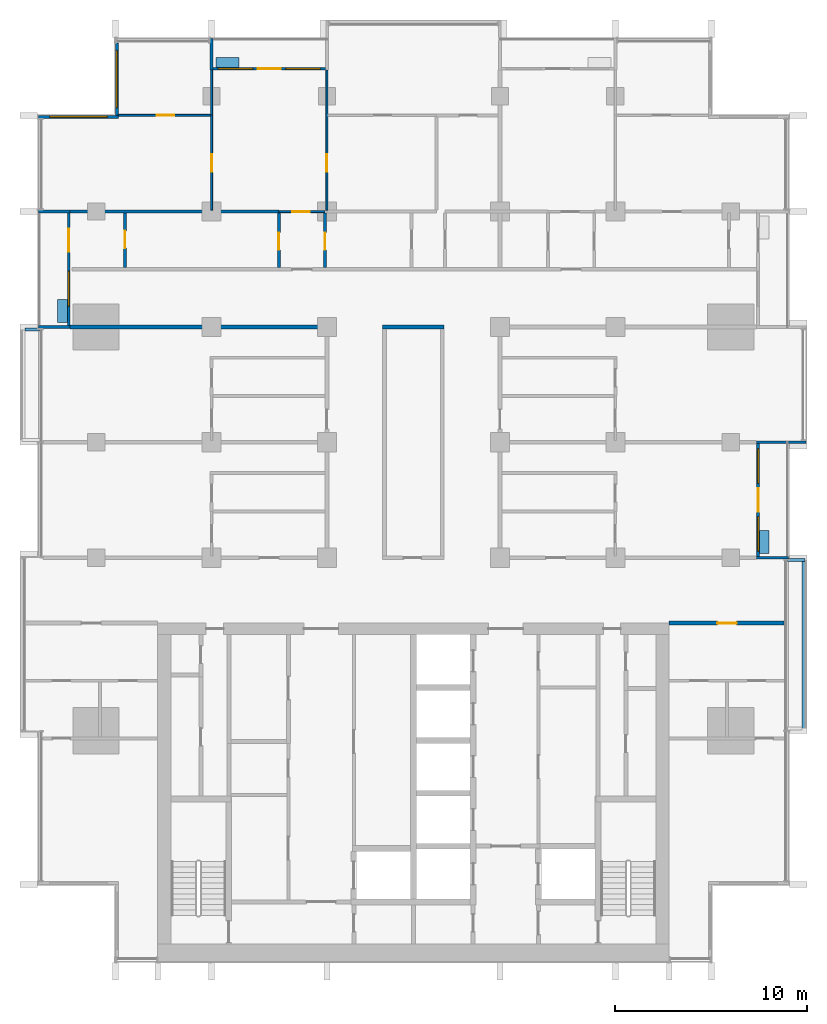
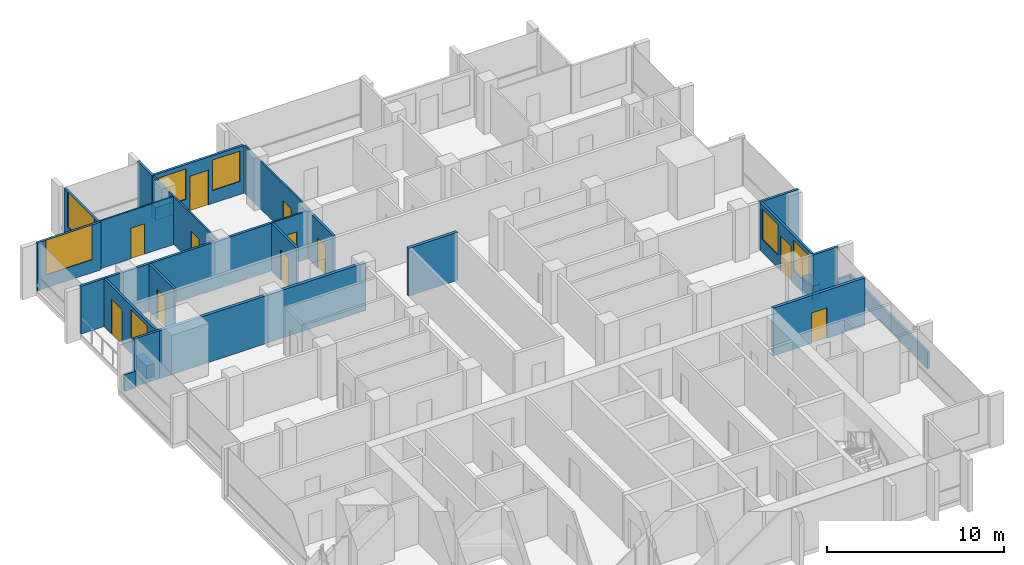
# One storey, part 10 of 17: 27 walls, 11 doors, 7 windows, 18 openings.
"""IFC4 building model written with IfcOpenShell, lengths in metres."""

from ifc_helpers import new_model, si_unit, direction, frame, frame_2d, origin, place, context, subcontext, project, spatial, rectangle, extrude, material, layer, layer_set, type_object, element, fill, save


model = new_model("IFC4")

# Units and contexts
model_context = context("Model", 3, precision=1e-05, world=origin(), true_north=direction((0.0, 1.0)))
body_context = subcontext(model_context, "Body", "Model", "MODEL_VIEW")
ifc_project = project(units=[si_unit("LENGTHUNIT", "METRE"), si_unit("AREAUNIT", "SQUARE_METRE"), si_unit("VOLUMEUNIT", "CUBIC_METRE"), si_unit("PLANEANGLEUNIT", "RADIAN"), si_unit("MASSUNIT", "GRAM", prefix="KILO")], contexts=[model_context])

# Site, building, storey
site_placement = place(None, origin())
site = spatial("IfcSite", under=ifc_project, at=site_placement, CompositionType="ELEMENT")
building_placement = place(site_placement, origin())
building = spatial("IfcBuilding", under=site, at=building_placement, Name="Finial Court Residences", CompositionType="ELEMENT")
storey_placement = place(building_placement, frame((0.0, 0.0, 181.699951171875)))
storey = spatial("IfcBuildingStorey", under=building, at=storey_placement, Name="L45", CompositionType="ELEMENT", Elevation=181.699951171875)

# Wall, opening, door
ifc_material_1 = material(Name="Gypsum board")
ifc_layer_1 = layer(ifc_material_1, 0.02490234375)
ifc_material_2 = material(Name="Acoustic mineral wool in double frame")
ifc_layer_2 = layer(ifc_material_2, 0.14990234375)
ifc_layer_3 = layer(ifc_material_1, 0.02490234375)
ifc_layer_set_1 = layer_set([ifc_layer_1, ifc_layer_2, ifc_layer_3], Name="Corridor wall 200, 1 hour")
wall_type_1 = type_object("IfcWallType", Name="Corridor wall 200, 1 hour", PredefinedType="PARTITIONING", material=ifc_layer_set_1)
wall_1_placement = place(storey_placement, frame((13.300048828125, -7.89990234375, 0.0), z_axis=(0.0, 0.0, 1.0), x_axis=(1.0, 0.0, 0.0)))
wall_1 = element("IfcWall", 1, at=wall_1_placement, inside=storey, type_object=wall_type_1, Name="Partition L45-005", PredefinedType="PARTITIONING", context=body_context, shape_type="SweptSolid", body=[
    extrude(rectangle(XDim=5.96240234375, YDim=0.199951171875, at=frame_2d((2.981201171875, 0.0))), origin(), (0.0, 0.0, 1.0), 3.300048828125),
])
opening_1_placement = place(wall_1_placement, frame((2.5, 0.0, 0.0)))
opening_1 = element("IfcOpeningElement", 2, at=opening_1_placement, cuts=wall_1, Name="Opening L45-D008", PredefinedType="OPENING", context=body_context, shape_type="SweptSolid", body=[
    extrude(rectangle(XDim=1.0, YDim=2.10009765625, at=frame_2d((0.5, 1.050048828125))), frame((0.0, 0.10986328125, 0.0), z_axis=(0.0, -1.0, 0.0), x_axis=(1.0, 0.0, 0.0)), (0.0, 0.0, 1.0), 0.219970703125),
])
ifc_material_3 = material(Name="Timber door leaf in hollow metal frame", Category="wood")
door_type_1 = type_object("IfcDoorType", Name="Fire door set 1000 x 2100, 30 minutes", OperationType="SINGLE_SWING_LEFT", PredefinedType="DOOR", material=ifc_material_3)
door_1_placement = place(opening_1_placement, origin())
door_1 = element("IfcDoor", 3, at=door_1_placement, inside=storey, type_object=door_type_1, Name="Door L45-D008", OperationType="SINGLE_SWING_RIGHT", OverallHeight=2.10009765625, OverallWidth=1.0, PredefinedType="DOOR", context=body_context, shape_type="SweptSolid", body=[
    extrude(rectangle(XDim=1.0, YDim=2.10009765625, at=frame_2d((0.5, 1.050048828125))), frame((0.0, 0.02490234375, 0.0), z_axis=(0.0, -1.0, 0.0), x_axis=(1.0, 0.0, 0.0)), (0.0, 0.0, 1.0), 0.050048828125),
])
fill(opening_1, door_1)

# Walls
wall_2_placement = place(storey_placement, frame((-17.85009765625, 7.5, 0.0), z_axis=(0.0, 0.0, 1.0), x_axis=(1.0, 0.0, 0.0)))
element("IfcWall", 4, at=wall_2_placement, inside=storey, type_object=wall_type_1, Name="Partition L45-019", PredefinedType="PARTITIONING", context=body_context, shape_type="SweptSolid", body=[
    extrude(rectangle(XDim=13.4501953125, YDim=0.199951171875, at=frame_2d((6.72509765625, 0.0))), origin(), (0.0, 0.0, 1.0), 3.300048828125),
])
wall_3_placement = place(storey_placement, frame((-1.60009765625, 7.5, 0.0), z_axis=(0.0, 0.0, 1.0), x_axis=(1.0, 0.0, 0.0)))
element("IfcWall", 5, at=wall_3_placement, inside=storey, type_object=wall_type_1, Name="Partition L45-020", PredefinedType="PARTITIONING", context=body_context, shape_type="SweptSolid", body=[
    extrude(rectangle(XDim=3.2001953125, YDim=0.199951171875, at=frame_2d((1.60009765625, 0.0))), origin(), (0.0, 0.0, 1.0), 3.300048828125),
])

# Wall, opening, door
ifc_layer_4 = layer(ifc_material_1, 0.012451171875)
ifc_material_4 = material(Name="Mineral wool in light-gauge frame")
ifc_layer_5 = layer(ifc_material_4, 0.074951171875)
ifc_layer_6 = layer(ifc_material_1, 0.012451171875)
ifc_layer_set_2 = layer_set([ifc_layer_4, ifc_layer_5, ifc_layer_6], Name="Gypsum board partition 100")
wall_type_2 = type_object("IfcWallType", Name="Gypsum board partition 100", PredefinedType="PARTITIONING", material=ifc_layer_set_2)
wall_4_placement = place(storey_placement, frame((-7.0, 13.5, 0.0), z_axis=(0.0, 0.0, 1.0), x_axis=(1.0, 0.0, 0.0)))
wall_4 = element("IfcWall", 6, at=wall_4_placement, inside=storey, type_object=wall_type_2, Name="Partition L45-023", PredefinedType="PARTITIONING", context=body_context, shape_type="SweptSolid", body=[
    extrude(rectangle(XDim=2.39990234375, YDim=0.10009765625, at=frame_2d((1.199951171875, 0.0))), origin(), (0.0, 0.0, 1.0), 3.300048828125),
])
opening_2_placement = place(wall_4_placement, frame((0.699951171875, 0.0, 0.0)))
opening_2 = element("IfcOpeningElement", 7, at=opening_2_placement, cuts=wall_4, Name="Opening L45-D014", PredefinedType="OPENING", context=body_context, shape_type="SweptSolid", body=[
    extrude(rectangle(XDim=0.89990234375, YDim=2.10009765625, at=frame_2d((0.449951171875, 1.050048828125))), frame((0.0, 0.06005859375, 0.0), z_axis=(0.0, -1.0, 0.0), x_axis=(1.0, 0.0, 0.0)), (0.0, 0.0, 1.0), 0.1201171875),
])
ifc_material_5 = material(Name="Timber door leaf in timber frame", Category="wood")
door_type_2 = type_object("IfcDoorType", Name="Door set 900 x 2100", OperationType="SINGLE_SWING_LEFT", PredefinedType="DOOR", material=ifc_material_5)
door_2_placement = place(opening_2_placement, origin())
door_2 = element("IfcDoor", 8, at=door_2_placement, inside=storey, type_object=door_type_2, Name="Door L45-D014", OperationType="SINGLE_SWING_LEFT", OverallHeight=2.10009765625, OverallWidth=0.89990234375, PredefinedType="DOOR", context=body_context, shape_type="SweptSolid", body=[
    extrude(rectangle(XDim=0.89990234375, YDim=2.10009765625, at=frame_2d((0.449951171875, 1.050048828125))), frame((0.0, 0.02490234375, 0.0), z_axis=(0.0, -1.0, 0.0), x_axis=(1.0, 0.0, 0.0)), (0.0, 0.0, 1.0), 0.050048828125),
])
fill(opening_2, door_2)

wall_5_placement = place(storey_placement, frame((-15.35009765625, 18.5, 0.0), z_axis=(0.0, 0.0, 1.0), x_axis=(1.0, 0.0, 0.0)))
wall_5 = element("IfcWall", 9, at=wall_5_placement, inside=storey, type_object=wall_type_2, Name="Partition L45-029", PredefinedType="PARTITIONING", context=body_context, shape_type="SweptSolid", body=[
    extrude(rectangle(XDim=4.800048828125, YDim=0.10009765625, at=frame_2d((2.39990234375, 0.0))), origin(), (0.0, 0.0, 1.0), 3.300048828125),
])
opening_3_placement = place(wall_5_placement, frame((2.0, 0.0, 0.0)))
opening_3 = element("IfcOpeningElement", 10, at=opening_3_placement, cuts=wall_5, Name="Opening L45-D017", PredefinedType="OPENING", context=body_context, shape_type="SweptSolid", body=[
    extrude(rectangle(XDim=0.89990234375, YDim=2.10009765625, at=frame_2d((0.449951171875, 1.050048828125))), frame((0.0, 0.06005859375, 0.0), z_axis=(0.0, -1.0, 0.0), x_axis=(1.0, 0.0, 0.0)), (0.0, 0.0, 1.0), 0.1201171875),
])
door_3_placement = place(opening_3_placement, origin())
door_3 = element("IfcDoor", 11, at=door_3_placement, inside=storey, type_object=door_type_2, Name="Door L45-D017", OperationType="SINGLE_SWING_RIGHT", OverallHeight=2.10009765625, OverallWidth=0.89990234375, PredefinedType="DOOR", context=body_context, shape_type="SweptSolid", body=[
    extrude(rectangle(XDim=0.89990234375, YDim=2.10009765625, at=frame_2d((0.449951171875, 1.050048828125))), frame((0.0, 0.02490234375, 0.0), z_axis=(0.0, -1.0, 0.0), x_axis=(1.0, 0.0, 0.0)), (0.0, 0.0, 1.0), 0.050048828125),
])
fill(opening_3, door_3)

wall_6_placement = place(storey_placement, frame((-10.5, 13.574951171875, 0.0), z_axis=(0.0, 0.0, 1.0), x_axis=(0.0, 1.0, 0.0)))
wall_6 = element("IfcWall", 12, at=wall_6_placement, inside=storey, type_object=wall_type_2, Name="Partition L45-037", PredefinedType="PARTITIONING", context=body_context, shape_type="SweptSolid", body=[
    extrude(rectangle(XDim=7.275146484375, YDim=0.10009765625, at=frame_2d((3.6376953125, 0.0))), origin(), (0.0, 0.0, 1.0), 3.300048828125),
])
opening_4_placement = place(wall_6_placement, frame((2.0, 0.0, 0.0)))
opening_4 = element("IfcOpeningElement", 13, at=opening_4_placement, cuts=wall_6, Name="Opening L45-D024", PredefinedType="OPENING", context=body_context, shape_type="SweptSolid", body=[
    extrude(rectangle(XDim=0.89990234375, YDim=2.10009765625, at=frame_2d((0.449951171875, 1.050048828125))), frame((0.0, 0.06005859375, 0.0), z_axis=(0.0, -1.0, 0.0), x_axis=(1.0, 0.0, 0.0)), (0.0, 0.0, 1.0), 0.1201171875),
])
door_4_placement = place(opening_4_placement, origin())
door_4 = element("IfcDoor", 14, at=door_4_placement, inside=storey, type_object=door_type_2, Name="Door L45-D024", OperationType="SINGLE_SWING_RIGHT", OverallHeight=2.10009765625, OverallWidth=0.89990234375, PredefinedType="DOOR", context=body_context, shape_type="SweptSolid", body=[
    extrude(rectangle(XDim=0.89990234375, YDim=2.10009765625, at=frame_2d((0.449951171875, 1.050048828125))), frame((0.0, 0.02490234375, 0.0), z_axis=(0.0, -1.0, 0.0), x_axis=(1.0, 0.0, 0.0)), (0.0, 0.0, 1.0), 0.050048828125),
])
fill(opening_4, door_4)

wall_7_placement = place(storey_placement, frame((-4.5, 13.574951171875, 0.0), z_axis=(0.0, 0.0, 1.0), x_axis=(0.0, 1.0, 0.0)))
wall_7 = element("IfcWall", 15, at=wall_7_placement, inside=storey, type_object=wall_type_2, Name="Partition L45-043", PredefinedType="PARTITIONING", context=body_context, shape_type="SweptSolid", body=[
    extrude(rectangle(XDim=7.275146484375, YDim=0.10009765625, at=frame_2d((3.6376953125, 0.0))), origin(), (0.0, 0.0, 1.0), 3.300048828125),
])
opening_5_placement = place(wall_7_placement, frame((2.0, 0.0, 0.0)))
opening_5 = element("IfcOpeningElement", 16, at=opening_5_placement, cuts=wall_7, Name="Opening L45-D030", PredefinedType="OPENING", context=body_context, shape_type="SweptSolid", body=[
    extrude(rectangle(XDim=0.89990234375, YDim=2.10009765625, at=frame_2d((0.449951171875, 1.050048828125))), frame((0.0, 0.06005859375, 0.0), z_axis=(0.0, -1.0, 0.0), x_axis=(1.0, 0.0, 0.0)), (0.0, 0.0, 1.0), 0.1201171875),
])
door_5_placement = place(opening_5_placement, origin())
door_5 = element("IfcDoor", 17, at=door_5_placement, inside=storey, type_object=door_type_2, Name="Door L45-D030", OperationType="SINGLE_SWING_LEFT", OverallHeight=2.10009765625, OverallWidth=0.89990234375, PredefinedType="DOOR", context=body_context, shape_type="SweptSolid", body=[
    extrude(rectangle(XDim=0.89990234375, YDim=2.10009765625, at=frame_2d((0.449951171875, 1.050048828125))), frame((0.0, 0.02490234375, 0.0), z_axis=(0.0, -1.0, 0.0), x_axis=(1.0, 0.0, 0.0)), (0.0, 0.0, 1.0), 0.050048828125),
])
fill(opening_5, door_5)

# Wall
ifc_material_6 = material(Name="Moisture-resistant gypsum board")
ifc_layer_7 = layer(ifc_material_6, 0.012451171875)
ifc_layer_8 = layer(ifc_material_4, 0.125)
ifc_layer_9 = layer(ifc_material_6, 0.012451171875)
ifc_layer_set_3 = layer_set([ifc_layer_7, ifc_layer_8, ifc_layer_9], Name="Gypsum board wet-area partition 150")
wall_type_3 = type_object("IfcWallType", Name="Gypsum board wet-area partition 150", PredefinedType="PARTITIONING", material=ifc_layer_set_3)
wall_8_placement = place(storey_placement, frame((-17.85009765625, 13.5, 0.0), z_axis=(0.0, 0.0, 1.0), x_axis=(1.0, 0.0, 0.0)))
element("IfcWall", 18, at=wall_8_placement, inside=storey, type_object=wall_type_3, Name="Partition L45-025", PredefinedType="PARTITIONING", context=body_context, shape_type="SweptSolid", body=[
    extrude(rectangle(XDim=10.85009765625, YDim=0.14990234375, at=frame_2d((5.425048828125, 0.0))), origin(), (0.0, 0.0, 1.0), 3.300048828125),
])

# Wall, opening, door
wall_9_placement = place(storey_placement, frame((-15.0, 10.60009765625, 0.0), z_axis=(0.0, 0.0, 1.0), x_axis=(0.0, 1.0, 0.0)))
wall_9 = element("IfcWall", 19, at=wall_9_placement, inside=storey, type_object=wall_type_3, Name="Partition L45-034", PredefinedType="PARTITIONING", context=body_context, shape_type="SweptSolid", body=[
    extrude(rectangle(XDim=2.824951171875, YDim=0.14990234375, at=frame_2d((1.41259765625, 0.0))), origin(), (0.0, 0.0, 1.0), 3.300048828125),
])
opening_6_placement = place(wall_9_placement, frame((1.0, 0.0, 0.0)))
opening_6 = element("IfcOpeningElement", 20, at=opening_6_placement, cuts=wall_9, Name="Opening L45-D021", PredefinedType="OPENING", context=body_context, shape_type="SweptSolid", body=[
    extrude(rectangle(XDim=0.89990234375, YDim=2.10009765625, at=frame_2d((0.449951171875, 1.050048828125))), frame((0.0, 0.0849609375, 0.0), z_axis=(0.0, -1.0, 0.0), x_axis=(1.0, 0.0, 0.0)), (0.0, 0.0, 1.0), 0.169921875),
])
door_6_placement = place(opening_6_placement, origin())
door_6 = element("IfcDoor", 21, at=door_6_placement, inside=storey, type_object=door_type_2, Name="Door L45-D021", OperationType="SINGLE_SWING_LEFT", OverallHeight=2.10009765625, OverallWidth=0.89990234375, PredefinedType="DOOR", context=body_context, shape_type="SweptSolid", body=[
    extrude(rectangle(XDim=0.89990234375, YDim=2.10009765625, at=frame_2d((0.449951171875, 1.050048828125))), frame((0.0, 0.02490234375, 0.0), z_axis=(0.0, -1.0, 0.0), x_axis=(1.0, 0.0, 0.0)), (0.0, 0.0, 1.0), 0.050048828125),
])
fill(opening_6, door_6)

wall_10_placement = place(storey_placement, frame((-7.0, 10.60009765625, 0.0), z_axis=(0.0, 0.0, 1.0), x_axis=(0.0, 1.0, 0.0)))
wall_10 = element("IfcWall", 22, at=wall_10_placement, inside=storey, type_object=wall_type_3, Name="Partition L45-040", PredefinedType="PARTITIONING", context=body_context, shape_type="SweptSolid", body=[
    extrude(rectangle(XDim=2.824951171875, YDim=0.14990234375, at=frame_2d((1.41259765625, 0.0))), origin(), (0.0, 0.0, 1.0), 3.300048828125),
])
opening_7_placement = place(wall_10_placement, frame((0.89990234375, 0.0, 0.0)))
opening_7 = element("IfcOpeningElement", 23, at=opening_7_placement, cuts=wall_10, Name="Opening L45-D027", PredefinedType="OPENING", context=body_context, shape_type="SweptSolid", body=[
    extrude(rectangle(XDim=0.89990234375, YDim=2.10009765625, at=frame_2d((0.449951171875, 1.050048828125))), frame((0.0, 0.0849609375, 0.0), z_axis=(0.0, -1.0, 0.0), x_axis=(1.0, 0.0, 0.0)), (0.0, 0.0, 1.0), 0.169921875),
])
door_7_placement = place(opening_7_placement, origin())
door_7 = element("IfcDoor", 24, at=door_7_placement, inside=storey, type_object=door_type_2, Name="Door L45-D027", OperationType="SINGLE_SWING_RIGHT", OverallHeight=2.10009765625, OverallWidth=0.89990234375, PredefinedType="DOOR", context=body_context, shape_type="SweptSolid", body=[
    extrude(rectangle(XDim=0.89990234375, YDim=2.10009765625, at=frame_2d((0.449951171875, 1.050048828125))), frame((0.0, 0.02490234375, 0.0), z_axis=(0.0, -1.0, 0.0), x_axis=(1.0, 0.0, 0.0)), (0.0, 0.0, 1.0), 0.050048828125),
])
fill(opening_7, door_7)

wall_11_placement = place(storey_placement, frame((-4.60009765625, 10.60009765625, 0.0), z_axis=(0.0, 0.0, 1.0), x_axis=(0.0, 1.0, 0.0)))
wall_11 = element("IfcWall", 25, at=wall_11_placement, inside=storey, type_object=wall_type_3, Name="Partition L45-041", PredefinedType="PARTITIONING", context=body_context, shape_type="SweptSolid", body=[
    extrude(rectangle(XDim=2.824951171875, YDim=0.14990234375, at=frame_2d((1.41259765625, 0.0))), origin(), (0.0, 0.0, 1.0), 3.300048828125),
])
opening_8_placement = place(wall_11_placement, frame((0.89990234375, 0.0, 0.0)))
opening_8 = element("IfcOpeningElement", 26, at=opening_8_placement, cuts=wall_11, Name="Opening L45-D028", PredefinedType="OPENING", context=body_context, shape_type="SweptSolid", body=[
    extrude(rectangle(XDim=0.89990234375, YDim=2.10009765625, at=frame_2d((0.449951171875, 1.050048828125))), frame((0.0, 0.0849609375, 0.0), z_axis=(0.0, -1.0, 0.0), x_axis=(1.0, 0.0, 0.0)), (0.0, 0.0, 1.0), 0.169921875),
])
door_8_placement = place(opening_8_placement, origin())
door_8 = element("IfcDoor", 27, at=door_8_placement, inside=storey, type_object=door_type_2, Name="Door L45-D028", OperationType="SINGLE_SWING_LEFT", OverallHeight=2.10009765625, OverallWidth=0.89990234375, PredefinedType="DOOR", context=body_context, shape_type="SweptSolid", body=[
    extrude(rectangle(XDim=0.89990234375, YDim=2.10009765625, at=frame_2d((0.449951171875, 1.050048828125))), frame((0.0, 0.02490234375, 0.0), z_axis=(0.0, -1.0, 0.0), x_axis=(1.0, 0.0, 0.0)), (0.0, 0.0, 1.0), 0.050048828125),
])
fill(opening_8, door_8)

# Walls
ifc_material_7 = material(Name="Concrete C35/45", Category="concrete")
ifc_layer_10 = layer(ifc_material_7, 0.14990234375)
ifc_layer_set_4 = layer_set([ifc_layer_10], Name="Ledge parapet, Concrete C35/45 150")
wall_type_4 = type_object("IfcWallType", Name="Ledge parapet, Concrete C35/45 150", PredefinedType="PARAPET", material=ifc_layer_set_4)
wall_12_placement = place(storey_placement, frame((-20.199951171875, 7.375, 0.0), z_axis=(0.0, 0.0, 1.0), x_axis=(1.0, 0.0, 0.0)))
element("IfcWall", 28, at=wall_12_placement, inside=storey, type_object=wall_type_4, Name="E-L45-LED1-P3", PredefinedType="PARAPET", context=body_context, shape_type="SweptSolid", body=[
    extrude(rectangle(XDim=0.75244140625, YDim=0.14990234375, at=frame_2d((0.376220703125, 0.0))), origin(), (0.0, 0.0, 1.0), 1.150146484375),
])
wall_13_placement = place(storey_placement, frame((19.447509765625, -4.625, 0.0), z_axis=(0.0, 0.0, 1.0), x_axis=(1.0, 0.0, 0.0)))
element("IfcWall", 29, at=wall_13_placement, inside=storey, type_object=wall_type_4, Name="E-L45-LED2-P1", PredefinedType="PARAPET", context=body_context, shape_type="SweptSolid", body=[
    extrude(rectangle(XDim=0.902587890625, YDim=0.14990234375, at=frame_2d((0.451171875, 0.0))), origin(), (0.0, 0.0, 1.0), 1.150146484375),
])
wall_14_placement = place(storey_placement, frame((20.27490234375, -4.699951171875, 0.0), z_axis=(0.0, 0.0, 1.0), x_axis=(0.0, -1.0, 0.0)))
element("IfcWall", 30, at=wall_14_placement, inside=storey, type_object=wall_type_4, Name="E-L45-LED2-P2", PredefinedType="PARAPET", context=body_context, shape_type="SweptSolid", body=[
    extrude(rectangle(XDim=8.75, YDim=0.14990234375, at=frame_2d((4.375, 0.0))), origin(), (0.0, 0.0, 1.0), 1.150146484375),
])

# Wall, opening, window
ifc_material_8 = material(Name="Natural limestone", Category="masonry")
ifc_layer_11 = layer(ifc_material_8, 0.14990234375)
ifc_layer_set_5 = layer_set([ifc_layer_11], Name="Limestone clad wall 150")
wall_type_5 = type_object("IfcWallType", Name="Limestone clad wall 150", PredefinedType="SOLIDWALL", material=ifc_layer_set_5)
wall_15_placement = place(storey_placement, frame((-15.425048828125, 18.5, 0.0), z_axis=(0.0, 0.0, 1.0), x_axis=(0.0, 1.0, 0.0)))
wall_15 = element("IfcWall", 31, at=wall_15_placement, inside=storey, type_object=wall_type_5, Name="E-L45-NWW17", PredefinedType="SOLIDWALL", context=body_context, shape_type="SweptSolid", body=[
    extrude(rectangle(XDim=3.762451171875, YDim=0.14990234375, at=frame_2d((1.88134765625, 0.0))), origin(), (0.0, 0.0, 1.0), 3.300048828125),
])
opening_9_placement = place(wall_15_placement, frame((0.4013671875, 0.0, 0.89990234375)))
opening_9 = element("IfcOpeningElement", 32, at=opening_9_placement, cuts=wall_15, Name="Opening WE45-05", PredefinedType="OPENING", context=body_context, shape_type="SweptSolid", body=[
    extrude(rectangle(XDim=2.9599609375, YDim=2.39990234375, at=frame_2d((1.47998046875, 1.199951171875))), frame((0.0, 0.0849609375, 0.0), z_axis=(0.0, -1.0, 0.0), x_axis=(1.0, 0.0, 0.0)), (0.0, 0.0, 1.0), 0.169921875),
])
ifc_material_9 = material(Name="Clear low-e glass", Category="glass")
window_type_1 = type_object("IfcWindowType", Name="Corner window 2960 x 2400", PartitioningType="SINGLE_PANEL", PredefinedType="WINDOW", material=ifc_material_9)
window_1_placement = place(opening_9_placement, origin())
window_1 = element("IfcWindow", 33, at=window_1_placement, inside=storey, type_object=window_type_1, Name="E-L45-NWW17-W1", OverallHeight=2.39990234375, OverallWidth=2.9599609375, PartitioningType="SINGLE_PANEL", PredefinedType="WINDOW", context=body_context, shape_type="SweptSolid", body=[
    extrude(rectangle(XDim=2.9599609375, YDim=2.39990234375, at=frame_2d((1.47998046875, 1.199951171875))), frame((0.0, 0.030029296875, 0.0), z_axis=(0.0, -1.0, 0.0), x_axis=(1.0, 0.0, 0.0)), (0.0, 0.0, 1.0), 0.06005859375),
])
fill(opening_9, window_1)

wall_16_placement = place(storey_placement, frame((-19.5, 18.425048828125, 0.0), z_axis=(0.0, 0.0, 1.0), x_axis=(1.0, 0.0, 0.0)))
wall_16 = element("IfcWall", 34, at=wall_16_placement, inside=storey, type_object=wall_type_5, Name="E-L45-NWN18", PredefinedType="SOLIDWALL", context=body_context, shape_type="SweptSolid", body=[
    extrude(rectangle(XDim=4.14990234375, YDim=0.14990234375, at=frame_2d((2.074951171875, 0.0))), origin(), (0.0, 0.0, 1.0), 3.300048828125),
])
opening_10_placement = place(wall_16_placement, frame((0.574951171875, 0.0, 0.89990234375)))
opening_10 = element("IfcOpeningElement", 35, at=opening_10_placement, cuts=wall_16, Name="Opening WE45-06", PredefinedType="OPENING", context=body_context, shape_type="SweptSolid", body=[
    extrude(rectangle(XDim=3.0, YDim=2.39990234375, at=frame_2d((1.5, 1.199951171875))), frame((0.0, 0.0849609375, 0.0), z_axis=(0.0, -1.0, 0.0), x_axis=(1.0, 0.0, 0.0)), (0.0, 0.0, 1.0), 0.169921875),
])
window_type_2 = type_object("IfcWindowType", Name="Corner window 3000 x 2400", PartitioningType="SINGLE_PANEL", PredefinedType="WINDOW", material=ifc_material_9)
window_2_placement = place(opening_10_placement, origin())
window_2 = element("IfcWindow", 36, at=window_2_placement, inside=storey, type_object=window_type_2, Name="E-L45-NWN18-W1", OverallHeight=2.39990234375, OverallWidth=3.0, PartitioningType="SINGLE_PANEL", PredefinedType="WINDOW", context=body_context, shape_type="SweptSolid", body=[
    extrude(rectangle(XDim=3.0, YDim=2.39990234375, at=frame_2d((1.5, 1.199951171875))), frame((0.0, 0.030029296875, 0.0), z_axis=(0.0, -1.0, 0.0), x_axis=(1.0, 0.0, 0.0)), (0.0, 0.0, 1.0), 0.06005859375),
])
fill(opening_10, window_2)

# Wall
wall_17_placement = place(storey_placement, frame((-10.5, 20.85009765625, 0.0), z_axis=(0.0, 0.0, 1.0), x_axis=(0.0, 1.0, 0.0)))
element("IfcWall", 37, at=wall_17_placement, inside=storey, type_object=wall_type_5, Name="E-L45-BALN2-P1", PredefinedType="SOLIDWALL", context=body_context, shape_type="SweptSolid", body=[
    extrude(rectangle(XDim=1.64990234375, YDim=0.14990234375, at=frame_2d((0.824951171875, 0.0))), origin(), (0.0, 0.0, 1.0), 3.300048828125),
])

# Wall, openings, door, windows
wall_18_placement = place(storey_placement, frame((-10.425048828125, 20.925048828125, 0.0), z_axis=(0.0, 0.0, 1.0), x_axis=(1.0, 0.0, 0.0)))
wall_18 = element("IfcWall", 38, at=wall_18_placement, inside=storey, type_object=wall_type_5, Name="E-L45-L45-BALN2-W", PredefinedType="SOLIDWALL", context=body_context, shape_type="SweptSolid", body=[
    extrude(rectangle(XDim=5.85009765625, YDim=0.14990234375, at=frame_2d((2.925048828125, 0.0))), origin(), (0.0, 0.0, 1.0), 3.300048828125),
])
opening_11_placement = place(wall_18_placement, frame((2.324951171875, 0.0, 0.0)))
opening_11 = element("IfcOpeningElement", 39, at=opening_11_placement, cuts=wall_18, Name="Opening DE45-01", PredefinedType="OPENING", context=body_context, shape_type="SweptSolid", body=[
    extrude(rectangle(XDim=1.199951171875, YDim=2.39990234375, at=frame_2d((0.60009765625, 1.199951171875))), frame((0.0, 0.0849609375, 0.0), z_axis=(0.0, -1.0, 0.0), x_axis=(1.0, 0.0, 0.0)), (0.0, 0.0, 1.0), 0.169921875),
])
opening_12_placement = place(wall_18_placement, frame((0.262451171875, 0.0, 0.89990234375)))
opening_12 = element("IfcOpeningElement", 40, at=opening_12_placement, cuts=wall_18, Name="Opening WE45-09", PredefinedType="OPENING", context=body_context, shape_type="SweptSolid", body=[
    extrude(rectangle(XDim=1.800048828125, YDim=2.10009765625, at=frame_2d((0.89990234375, 1.050048828125))), frame((0.0, 0.0849609375, 0.0), z_axis=(0.0, -1.0, 0.0), x_axis=(1.0, 0.0, 0.0)), (0.0, 0.0, 1.0), 0.169921875),
])
opening_13_placement = place(wall_18_placement, frame((3.78759765625, 0.0, 0.89990234375)))
opening_13 = element("IfcOpeningElement", 41, at=opening_13_placement, cuts=wall_18, Name="Opening WE45-10", PredefinedType="OPENING", context=body_context, shape_type="SweptSolid", body=[
    extrude(rectangle(XDim=1.800048828125, YDim=2.10009765625, at=frame_2d((0.89990234375, 1.050048828125))), frame((0.0, 0.0849609375, 0.0), z_axis=(0.0, -1.0, 0.0), x_axis=(1.0, 0.0, 0.0)), (0.0, 0.0, 1.0), 0.169921875),
])
ifc_material_10 = material(Name="Bronze anodised aluminium", Category="aluminium")
door_type_3 = type_object("IfcDoorType", Name="Balcony door 1200 x 2400", OperationType="SINGLE_SWING_LEFT", PredefinedType="DOOR", material=ifc_material_10)
door_9_placement = place(opening_11_placement, origin())
door_9 = element("IfcDoor", 42, at=door_9_placement, inside=storey, type_object=door_type_3, Name="E-L45-L45-BALN2-W-D", OperationType="SINGLE_SWING_RIGHT", OverallHeight=2.39990234375, OverallWidth=1.199951171875, PredefinedType="DOOR", context=body_context, shape_type="SweptSolid", body=[
    extrude(rectangle(XDim=1.199951171875, YDim=2.39990234375, at=frame_2d((0.60009765625, 1.199951171875))), frame((0.0, 0.02490234375, 0.0), z_axis=(0.0, -1.0, 0.0), x_axis=(1.0, 0.0, 0.0)), (0.0, 0.0, 1.0), 0.050048828125),
])
fill(opening_11, door_9)
window_type_3 = type_object("IfcWindowType", Name="Balcony window 1800 x 2100", PartitioningType="SINGLE_PANEL", PredefinedType="WINDOW", material=ifc_material_9)
window_3_placement = place(opening_12_placement, origin())
window_3 = element("IfcWindow", 43, at=window_3_placement, inside=storey, type_object=window_type_3, Name="E-L45-L45-BALN2-W-W1", OverallHeight=2.10009765625, OverallWidth=1.800048828125, PartitioningType="SINGLE_PANEL", PredefinedType="WINDOW", context=body_context, shape_type="SweptSolid", body=[
    extrude(rectangle(XDim=1.800048828125, YDim=2.10009765625, at=frame_2d((0.89990234375, 1.050048828125))), frame((0.0, 0.030029296875, 0.0), z_axis=(0.0, -1.0, 0.0), x_axis=(1.0, 0.0, 0.0)), (0.0, 0.0, 1.0), 0.06005859375),
])
fill(opening_12, window_3)
window_4_placement = place(opening_13_placement, origin())
window_4 = element("IfcWindow", 44, at=window_4_placement, inside=storey, type_object=window_type_3, Name="E-L45-L45-BALN2-W-W2", OverallHeight=2.10009765625, OverallWidth=1.800048828125, PartitioningType="SINGLE_PANEL", PredefinedType="WINDOW", context=body_context, shape_type="SweptSolid", body=[
    extrude(rectangle(XDim=1.800048828125, YDim=2.10009765625, at=frame_2d((0.89990234375, 1.050048828125))), frame((0.0, 0.030029296875, 0.0), z_axis=(0.0, -1.0, 0.0), x_axis=(1.0, 0.0, 0.0)), (0.0, 0.0, 1.0), 0.06005859375),
])
fill(opening_13, window_4)

# Walls
wall_19_placement = place(storey_placement, frame((17.85009765625, -4.5, 0.0), z_axis=(0.0, 0.0, 1.0), x_axis=(1.0, 0.0, 0.0)))
element("IfcWall", 45, at=wall_19_placement, inside=storey, type_object=wall_type_5, Name="E-L45-BALE3-P1", PredefinedType="SOLIDWALL", context=body_context, shape_type="SweptSolid", body=[
    extrude(rectangle(XDim=1.64990234375, YDim=0.14990234375, at=frame_2d((0.824951171875, 0.0))), origin(), (0.0, 0.0, 1.0), 3.300048828125),
])
wall_20_placement = place(storey_placement, frame((17.85009765625, 1.5, 0.0), z_axis=(0.0, 0.0, 1.0), x_axis=(1.0, 0.0, 0.0)))
element("IfcWall", 46, at=wall_20_placement, inside=storey, type_object=wall_type_5, Name="E-L45-BALE3-P2", PredefinedType="SOLIDWALL", context=body_context, shape_type="SweptSolid", body=[
    extrude(rectangle(XDim=2.5498046875, YDim=0.14990234375, at=frame_2d((1.27490234375, 0.0))), origin(), (0.0, 0.0, 1.0), 3.300048828125),
])

# Wall, openings, door, windows
wall_21_placement = place(storey_placement, frame((17.925048828125, 1.425048828125, 0.0), z_axis=(0.0, 0.0, 1.0), x_axis=(0.0, -1.0, 0.0)))
wall_21 = element("IfcWall", 47, at=wall_21_placement, inside=storey, type_object=wall_type_5, Name="E-L45-L45-BALE3-W", PredefinedType="SOLIDWALL", context=body_context, shape_type="SweptSolid", body=[
    extrude(rectangle(XDim=5.85009765625, YDim=0.14990234375, at=frame_2d((2.925048828125, 0.0))), origin(), (0.0, 0.0, 1.0), 3.300048828125),
])
opening_14_placement = place(wall_21_placement, frame((2.324951171875, 0.0, 0.0)))
opening_14 = element("IfcOpeningElement", 48, at=opening_14_placement, cuts=wall_21, Name="Opening DE45-03", PredefinedType="OPENING", context=body_context, shape_type="SweptSolid", body=[
    extrude(rectangle(XDim=1.199951171875, YDim=2.39990234375, at=frame_2d((0.60009765625, 1.199951171875))), frame((0.0, 0.0849609375, 0.0), z_axis=(0.0, -1.0, 0.0), x_axis=(1.0, 0.0, 0.0)), (0.0, 0.0, 1.0), 0.169921875),
])
opening_15_placement = place(wall_21_placement, frame((3.78759765625, 0.0, 0.89990234375)))
opening_15 = element("IfcOpeningElement", 49, at=opening_15_placement, cuts=wall_21, Name="Opening WE45-13", PredefinedType="OPENING", context=body_context, shape_type="SweptSolid", body=[
    extrude(rectangle(XDim=1.800048828125, YDim=2.10009765625, at=frame_2d((0.89990234375, 1.050048828125))), frame((0.0, 0.0849609375, 0.0), z_axis=(0.0, -1.0, 0.0), x_axis=(1.0, 0.0, 0.0)), (0.0, 0.0, 1.0), 0.169921875),
])
opening_16_placement = place(wall_21_placement, frame((0.262451171875, 0.0, 0.89990234375)))
opening_16 = element("IfcOpeningElement", 50, at=opening_16_placement, cuts=wall_21, Name="Opening WE45-14", PredefinedType="OPENING", context=body_context, shape_type="SweptSolid", body=[
    extrude(rectangle(XDim=1.800048828125, YDim=2.10009765625, at=frame_2d((0.89990234375, 1.050048828125))), frame((0.0, 0.0849609375, 0.0), z_axis=(0.0, -1.0, 0.0), x_axis=(1.0, 0.0, 0.0)), (0.0, 0.0, 1.0), 0.169921875),
])
door_10_placement = place(opening_14_placement, origin())
door_10 = element("IfcDoor", 51, at=door_10_placement, inside=storey, type_object=door_type_3, Name="E-L45-L45-BALE3-W-D", OperationType="SINGLE_SWING_RIGHT", OverallHeight=2.39990234375, OverallWidth=1.199951171875, PredefinedType="DOOR", context=body_context, shape_type="SweptSolid", body=[
    extrude(rectangle(XDim=1.199951171875, YDim=2.39990234375, at=frame_2d((0.60009765625, 1.199951171875))), frame((0.0, 0.02490234375, 0.0), z_axis=(0.0, -1.0, 0.0), x_axis=(1.0, 0.0, 0.0)), (0.0, 0.0, 1.0), 0.050048828125),
])
fill(opening_14, door_10)
window_5_placement = place(opening_15_placement, origin())
window_5 = element("IfcWindow", 52, at=window_5_placement, inside=storey, type_object=window_type_3, Name="E-L45-L45-BALE3-W-W1", OverallHeight=2.10009765625, OverallWidth=1.800048828125, PartitioningType="SINGLE_PANEL", PredefinedType="WINDOW", context=body_context, shape_type="SweptSolid", body=[
    extrude(rectangle(XDim=1.800048828125, YDim=2.10009765625, at=frame_2d((0.89990234375, 1.050048828125))), frame((0.0, 0.030029296875, 0.0), z_axis=(0.0, -1.0, 0.0), x_axis=(1.0, 0.0, 0.0)), (0.0, 0.0, 1.0), 0.06005859375),
])
fill(opening_15, window_5)
window_6_placement = place(opening_16_placement, origin())
window_6 = element("IfcWindow", 53, at=window_6_placement, inside=storey, type_object=window_type_3, Name="E-L45-L45-BALE3-W-W2", OverallHeight=2.10009765625, OverallWidth=1.800048828125, PartitioningType="SINGLE_PANEL", PredefinedType="WINDOW", context=body_context, shape_type="SweptSolid", body=[
    extrude(rectangle(XDim=1.800048828125, YDim=2.10009765625, at=frame_2d((0.89990234375, 1.050048828125))), frame((0.0, 0.030029296875, 0.0), z_axis=(0.0, -1.0, 0.0), x_axis=(1.0, 0.0, 0.0)), (0.0, 0.0, 1.0), 0.06005859375),
])
fill(opening_16, window_6)

# Walls
for number, where, z_axis, x_axis, name in (
    (54, (-17.85009765625, 7.5, 0.0), (0.0, 0.0, 1.0), (-1.0, 0.0, 0.0), "E-L45-BALW5-P1"),
    (55, (-17.85009765625, 13.5, 0.0), (0.0, 0.0, 1.0), (-1.0, 0.0, 0.0), "E-L45-BALW5-P2"),
):
    element("IfcWall", number, at=place(storey_placement, frame(where, z_axis=z_axis, x_axis=x_axis)), inside=storey, type_object=wall_type_5, Name=name, PredefinedType="SOLIDWALL", context=body_context, shape_type="SweptSolid", body=[
        extrude(rectangle(XDim=1.64990234375, YDim=0.14990234375, at=frame_2d((0.824951171875, 0.0))), origin(), (0.0, 0.0, 1.0), 3.300048828125),
    ])

# Wall, openings, door, window
wall_22_placement = place(storey_placement, frame((-17.925048828125, 7.574951171875, 0.0), z_axis=(0.0, 0.0, 1.0), x_axis=(0.0, 1.0, 0.0)))
wall_22 = element("IfcWall", 56, at=wall_22_placement, inside=storey, type_object=wall_type_5, Name="E-L45-L45-BALW5-W", PredefinedType="SOLIDWALL", context=body_context, shape_type="SweptSolid", body=[
    extrude(rectangle(XDim=5.85009765625, YDim=0.14990234375, at=frame_2d((2.925048828125, 0.0))), origin(), (0.0, 0.0, 1.0), 3.300048828125),
])
opening_17_placement = place(wall_22_placement, frame((3.824951171875, 0.0, 0.0)))
opening_17 = element("IfcOpeningElement", 57, at=opening_17_placement, cuts=wall_22, Name="Opening DE45-05", PredefinedType="OPENING", context=body_context, shape_type="SweptSolid", body=[
    extrude(rectangle(XDim=1.199951171875, YDim=2.39990234375, at=frame_2d((0.60009765625, 1.199951171875))), frame((0.0, 0.0849609375, 0.0), z_axis=(0.0, -1.0, 0.0), x_axis=(1.0, 0.0, 0.0)), (0.0, 0.0, 1.0), 0.169921875),
])
opening_18_placement = place(wall_22_placement, frame((1.012451171875, 0.0, 0.89990234375)))
opening_18 = element("IfcOpeningElement", 58, at=opening_18_placement, cuts=wall_22, Name="Opening WE45-16", PredefinedType="OPENING", context=body_context, shape_type="SweptSolid", body=[
    extrude(rectangle(XDim=1.800048828125, YDim=2.10009765625, at=frame_2d((0.89990234375, 1.050048828125))), frame((0.0, 0.0849609375, 0.0), z_axis=(0.0, -1.0, 0.0), x_axis=(1.0, 0.0, 0.0)), (0.0, 0.0, 1.0), 0.169921875),
])
door_11_placement = place(opening_17_placement, origin())
door_11 = element("IfcDoor", 59, at=door_11_placement, inside=storey, type_object=door_type_3, Name="E-L45-L45-BALW5-W-D", OperationType="SINGLE_SWING_RIGHT", OverallHeight=2.39990234375, OverallWidth=1.199951171875, PredefinedType="DOOR", context=body_context, shape_type="SweptSolid", body=[
    extrude(rectangle(XDim=1.199951171875, YDim=2.39990234375, at=frame_2d((0.60009765625, 1.199951171875))), frame((0.0, 0.02490234375, 0.0), z_axis=(0.0, -1.0, 0.0), x_axis=(1.0, 0.0, 0.0)), (0.0, 0.0, 1.0), 0.050048828125),
])
fill(opening_17, door_11)
window_7_placement = place(opening_18_placement, origin())
window_7 = element("IfcWindow", 60, at=window_7_placement, inside=storey, type_object=window_type_3, Name="E-L45-L45-BALW5-W-W1", OverallHeight=2.10009765625, OverallWidth=1.800048828125, PartitioningType="SINGLE_PANEL", PredefinedType="WINDOW", context=body_context, shape_type="SweptSolid", body=[
    extrude(rectangle(XDim=1.800048828125, YDim=2.10009765625, at=frame_2d((0.89990234375, 1.050048828125))), frame((0.0, 0.030029296875, 0.0), z_axis=(0.0, -1.0, 0.0), x_axis=(1.0, 0.0, 0.0)), (0.0, 0.0, 1.0), 0.06005859375),
])
fill(opening_18, window_7)

# Walls
ifc_material_11 = material(Name="Concrete C40/50", Category="concrete")
ifc_layer_12 = layer(ifc_material_11, 0.10009765625)
ifc_material_12 = material(Name="Planting soil", Category="soil")
ifc_layer_13 = layer(ifc_material_12, 0.300048828125)
ifc_layer_14 = layer(ifc_material_11, 0.10009765625)
ifc_layer_set_6 = layer_set([ifc_layer_12, ifc_layer_13, ifc_layer_14], Name="Planter wall, balcony")
wall_type_6 = type_object("IfcWallType", Name="Planter wall, balcony", PredefinedType="USERDEFINED", material=ifc_layer_set_6)
for number, where, z_axis, x_axis, name in (
    (61, (-10.27490234375, 21.25, 0.0), (0.0, 0.0, 1.0), (1.0, 0.0, 0.0), "E-L45-BALN2-PL"),
    (62, (18.25, -4.27490234375, 0.0), (0.0, 0.0, 1.0), (0.0, 1.0, 0.0), "E-L45-BALE3-PL"),
    (63, (-18.25, 7.72509765625, 0.0), (0.0, 0.0, 1.0), (0.0, 1.0, 0.0), "E-L45-BALW5-PL"),
):
    element("IfcWall", number, at=place(storey_placement, frame(where, z_axis=z_axis, x_axis=x_axis)), inside=storey, type_object=wall_type_6, Name=name, ObjectType="PLANTER", PredefinedType="USERDEFINED", context=body_context, shape_type="SweptSolid", body=[
        extrude(rectangle(XDim=1.199951171875, YDim=0.5, at=frame_2d((0.60009765625, 0.0))), origin(), (0.0, 0.0, 1.0), 0.900146484375),
    ])

save(model, "model.ifc")
